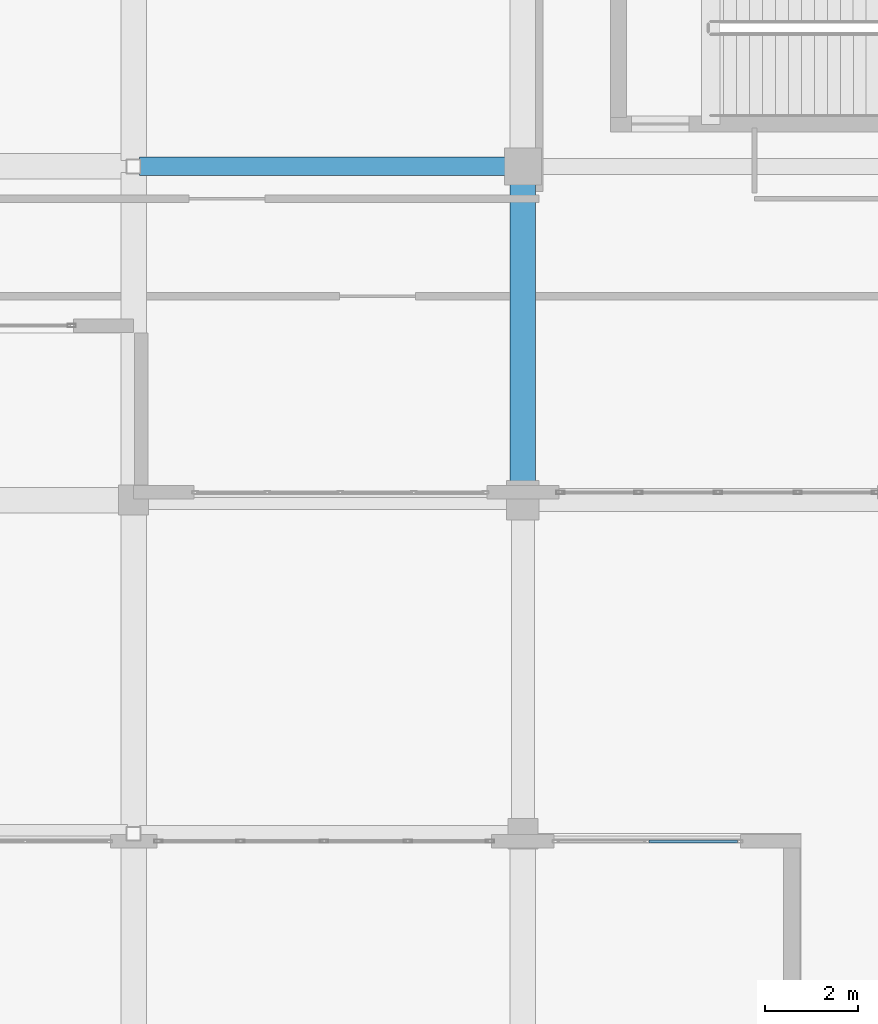
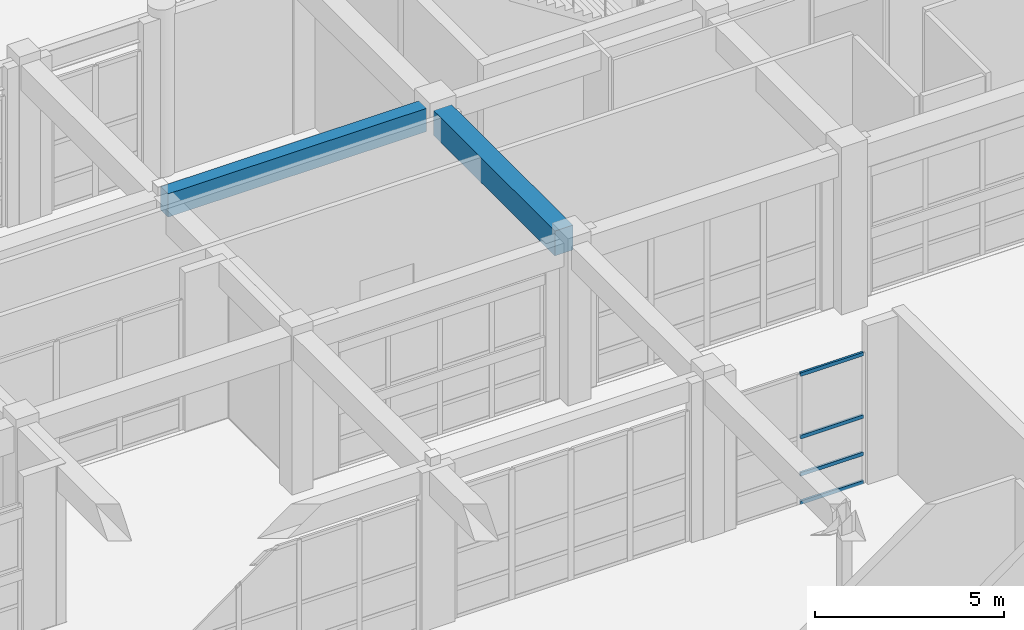
# One storey, part 79 of 148: 4 members, 2 beams, 1 element without a shape of its own.
"""IFC4 building model written with IfcOpenShell, lengths in metres."""

from ifc_helpers import new_model, si_unit, direction, frame, origin, origin_2d, place, context, subcontext, project, spatial, rectangle, hollow_rectangle, extrude, material, layer, layer_set, material_profile, profile_set, type_object, element, aggregate, save


model = new_model("IFC4")

# Units and contexts
model_context = context("Model", 3, precision=1e-05, world=origin(), true_north=direction((0.0, 1.0)))
body_context = subcontext(model_context, "Body", "Model", "MODEL_VIEW")
ifc_project = project(units=[si_unit("LENGTHUNIT", "METRE"), si_unit("AREAUNIT", "SQUARE_METRE"), si_unit("VOLUMEUNIT", "CUBIC_METRE"), si_unit("PLANEANGLEUNIT", "RADIAN"), si_unit("MASSUNIT", "GRAM", prefix="KILO")], contexts=[model_context])

# Site, building, storey
site_placement = place(None, origin())
site = spatial("IfcSite", under=ifc_project, at=site_placement, CompositionType="ELEMENT")
building_placement = place(site_placement, origin())
building = spatial("IfcBuilding", under=site, at=building_placement, Name="Quendrovan Civic Courthouse", CompositionType="ELEMENT")
storey_placement = place(building_placement, origin())
storey = spatial("IfcBuildingStorey", under=building, at=storey_placement, Name="L01", CompositionType="ELEMENT", Elevation=0.0)

# Beams
ifc_material_1 = material(Name="Concrete C40/50", Category="concrete")
ifc_material_profile_1 = material_profile(ifc_material_1, rectangle(XDim=0.39990234375, YDim=0.75, at=origin_2d()), Name="RC-BM-400x750")
ifc_profile_set_1 = profile_set([ifc_material_profile_1], Name="Concrete C40/50")
beam_type_1 = type_object("IfcBeamType", Name="BM-RC750B", PredefinedType="BEAM", material=ifc_profile_set_1)
beam_1_placement = place(storey_placement, frame((100.929931640625, 94.800048828125, 4.7451171875), z_axis=(1.0, 0.0, 0.0), x_axis=(0.0, 1.0, 0.0)))
element("IfcBeam", 1, at=beam_1_placement, inside=storey, type_object=beam_type_1, Name="L01 Girder X0334", PredefinedType="BEAM", context=body_context, shape_type="SweptSolid", body=[
    extrude(rectangle(XDim=0.39990234375, YDim=0.75, at=origin_2d()), origin(), (0.0, 0.0, 1.0), 7.89013671875),
])
ifc_material_profile_2 = material_profile(ifc_material_1, rectangle(XDim=0.550048828125, YDim=0.800048828125, at=origin_2d()), Name="RC-BM-550x800")
ifc_profile_set_2 = profile_set([ifc_material_profile_2], Name="Concrete C40/50")
beam_type_2 = type_object("IfcBeamType", Name="BM-RC800", PredefinedType="BEAM", material=ifc_profile_set_2)
beam_2_placement = place(storey_placement, frame((109.199951171875, 88.0048828125, 4.719970703125), z_axis=(0.0, 1.0, 0.0), x_axis=(-1.0, 0.0, 0.0)))
element("IfcBeam", 2, at=beam_2_placement, inside=storey, type_object=beam_type_2, Name="L01 Girder Y0461", PredefinedType="BEAM", context=body_context, shape_type="SweptSolid", body=[
    extrude(rectangle(XDim=0.550048828125, YDim=0.800048828125, at=origin_2d()), origin(), (0.0, 0.0, 1.0), 6.4150390625),
])

# Curtain wall, members
ifc_material_2 = material(Name="Bronze anodised aluminium and low-E glass", Category="aluminium")
ifc_layer = layer(ifc_material_2, 0.179931640625, Name="Bronze anodised aluminium and low-E glass")
ifc_layer_set = layer_set([ifc_layer], Name="Bronze anodised aluminium and low-E glass")
curtain_wall_type = type_object("IfcCurtainWallType", Name="CW-U40x42", PredefinedType="USERDEFINED", material=ifc_layer_set)
curtain_wall_placement = place(storey_placement, origin())
curtain_wall = element("IfcCurtainWall", 3, at=curtain_wall_placement, inside=storey, type_object=curtain_wall_type, Name="L01 Unitised Hurricane Curtain Wall CW-055", ObjectType="UNITISED CURTAIN WALL", PredefinedType="USERDEFINED")
ifc_material_3 = material(Name="Bronze anodised aluminium", Category="aluminium")
ifc_material_profile_3 = material_profile(ifc_material_3, hollow_rectangle(XDim=0.06494140625, YDim=0.114990234375, WallThickness=0.00390625, at=origin_2d()), Name="CW-TRAN-65x115")
ifc_profile_set_3 = profile_set([ifc_material_profile_3], Name="Bronze anodised aluminium")
member_type = type_object("IfcMemberType", Name="CW-TRAN-B", PredefinedType="USERDEFINED", material=ifc_profile_set_3)
member_1_placement = place(storey_placement, frame((111.919921875, 80.235107421875, 0.032470703125), z_axis=(1.0, 0.0, 0.0), x_axis=(0.0, 1.0, 0.0)))
member_1 = element("IfcMember", 4, at=member_1_placement, type_object=member_type, Name="CW-055 transom 2.1", ObjectType="TRANSOM", PredefinedType="USERDEFINED", context=body_context, shape_type="SweptSolid", body=[
    extrude(hollow_rectangle(XDim=0.06494140625, YDim=0.114990234375, WallThickness=0.00390625, at=origin_2d()), origin(), (0.0, 0.0, 1.0), 1.9150390625),
])
member_2_placement = place(storey_placement, frame((111.919921875, 80.235107421875, 0.949951171875), z_axis=(1.0, 0.0, 0.0), x_axis=(0.0, 1.0, 0.0)))
member_2 = element("IfcMember", 5, at=member_2_placement, type_object=member_type, Name="CW-055 transom 2.2", ObjectType="TRANSOM", PredefinedType="USERDEFINED", context=body_context, shape_type="SweptSolid", body=[
    extrude(hollow_rectangle(XDim=0.06494140625, YDim=0.114990234375, WallThickness=0.00390625, at=origin_2d()), origin(), (0.0, 0.0, 1.0), 1.9150390625),
])
member_3_placement = place(storey_placement, frame((111.919921875, 80.235107421875, 2.14990234375), z_axis=(1.0, 0.0, 0.0), x_axis=(0.0, 1.0, 0.0)))
member_3 = element("IfcMember", 6, at=member_3_placement, type_object=member_type, Name="CW-055 transom 2.3", ObjectType="TRANSOM", PredefinedType="USERDEFINED", context=body_context, shape_type="SweptSolid", body=[
    extrude(hollow_rectangle(XDim=0.06494140625, YDim=0.114990234375, WallThickness=0.00390625, at=origin_2d()), origin(), (0.0, 0.0, 1.0), 1.9150390625),
])
member_4_placement = place(storey_placement, frame((111.919921875, 80.235107421875, 4.16748046875), z_axis=(1.0, 0.0, 0.0), x_axis=(0.0, 1.0, 0.0)))
member_4 = element("IfcMember", 7, at=member_4_placement, type_object=member_type, Name="CW-055 transom 2.4", ObjectType="TRANSOM", PredefinedType="USERDEFINED", context=body_context, shape_type="SweptSolid", body=[
    extrude(hollow_rectangle(XDim=0.06494140625, YDim=0.114990234375, WallThickness=0.00390625, at=origin_2d()), origin(), (0.0, 0.0, 1.0), 1.9150390625),
])
aggregate(curtain_wall, [member_1, member_2, member_3, member_4])

save(model, "model.ifc")
